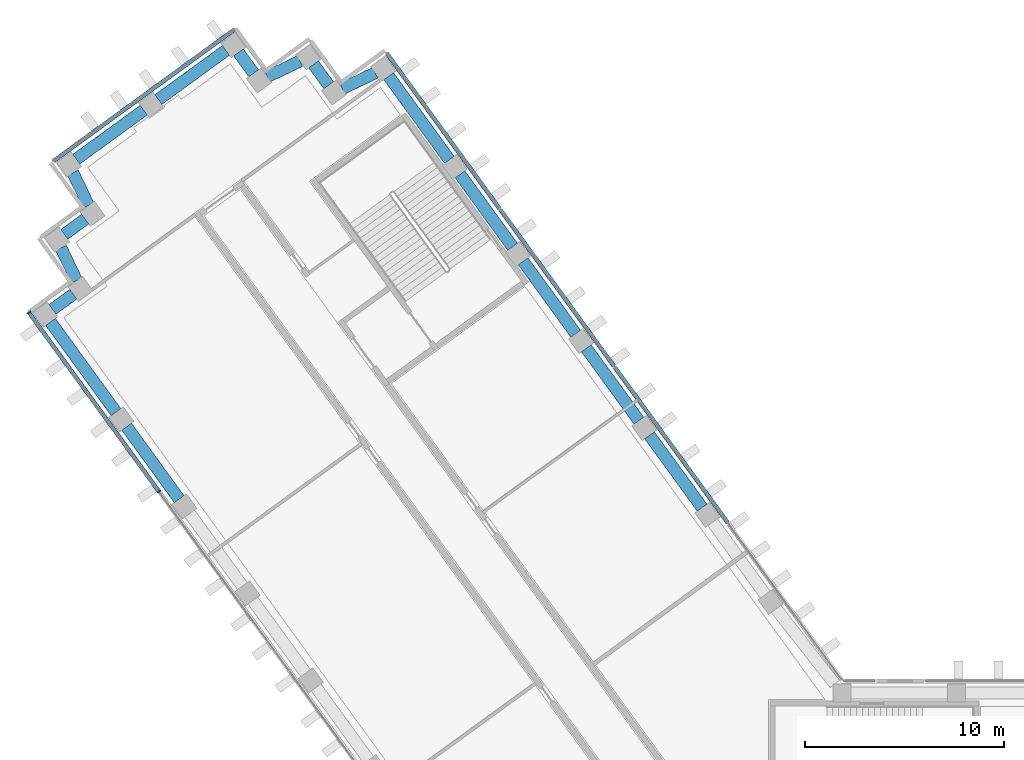
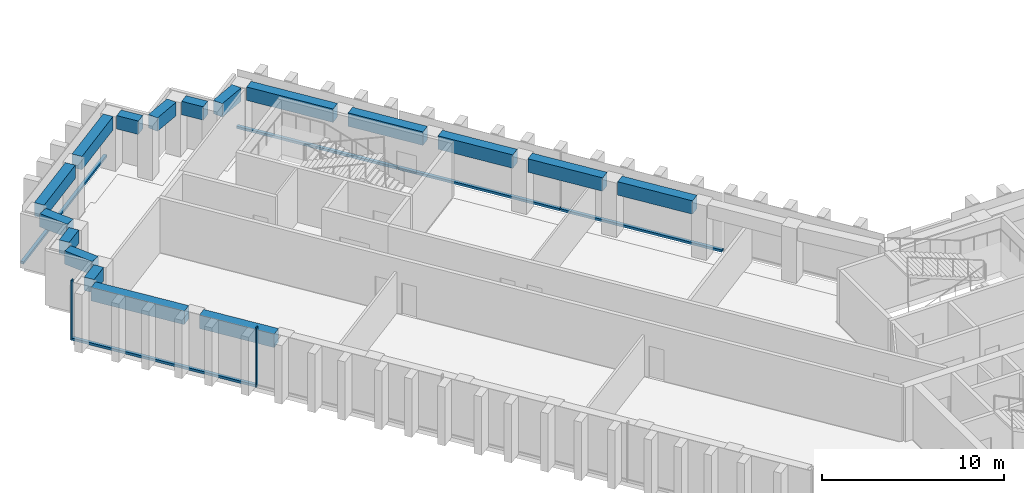
"""IFC4 building model written with IfcOpenShell, lengths in metres."""

from ifc_helpers import new_model, si_unit, direction, frame, origin, origin_2d, place, context, subcontext, project, spatial, rectangle, extrude, material, material_profile, profile_set, type_object, element, aggregate, save


model = new_model("IFC4")

# Units and contexts
model_context = context("Model", 3, precision=1e-05, world=origin(), true_north=direction((0.0, 1.0)))
body_context = subcontext(model_context, "Body", "Model", "MODEL_VIEW")
ifc_project = project(units=[si_unit("LENGTHUNIT", "METRE"), si_unit("AREAUNIT", "SQUARE_METRE"), si_unit("VOLUMEUNIT", "CUBIC_METRE"), si_unit("PLANEANGLEUNIT", "RADIAN"), si_unit("MASSUNIT", "GRAM", prefix="KILO")], contexts=[model_context])

# Site, building, storey
site_placement = place(None, origin())
site = spatial("IfcSite", under=ifc_project, at=site_placement, CompositionType="ELEMENT")
building_placement = place(site_placement, origin())
building = spatial("IfcBuilding", under=site, at=building_placement, Name="Quipu Civic Tower", CompositionType="ELEMENT")
storey_1_placement = place(building_placement, frame((0.0, 0.0, 31.0)))
storey_1 = spatial("IfcBuildingStorey", under=building, at=storey_1_placement, Name="L06", CompositionType="ELEMENT", Elevation=31.0)

# Curtain wall, members
ifc_material_1 = material(Name="Insulated glass unit", Category="glass")
curtain_wall_type = type_object("IfcCurtainWallType", Name="Office curtain wall CW1", PredefinedType="NOTDEFINED", material=ifc_material_1)
curtain_wall_1_placement = place(storey_1_placement, origin())
curtain_wall_1 = element("IfcCurtainWall", 1, at=curtain_wall_1_placement, inside=storey_1, type_object=curtain_wall_type, Name="Office curtain wall CW1 L06 run 4", PredefinedType="NOTDEFINED")
ifc_material_2 = material(Name="Anodised aluminium", Category="aluminium")
ifc_material_profile_1 = material_profile(ifc_material_2, rectangle(XDim=0.199951171875, YDim=0.080078125, at=origin_2d()), Name="RECT 200x80")
ifc_profile_set_1 = profile_set([ifc_material_profile_1], Name="Anodised aluminium")
member_type_1 = type_object("IfcMemberType", Name="Mullion CW1", PredefinedType="MULLION", material=ifc_profile_set_1)
member_1_placement = place(storey_1_placement, frame((-55.23046875, 29.606201171875, 0.080078125), z_axis=(0.0, 0.0, 1.0), x_axis=(0.809016770908, 0.587785559869, 0.0)))
member_1 = element("IfcMember", 2, at=member_1_placement, type_object=member_type_1, Name="CW1 mullion 1", PredefinedType="MULLION", context=body_context, shape_type="SweptSolid", body=[
    extrude(rectangle(XDim=0.199951171875, YDim=0.080078125, at=origin_2d()), origin(), (0.0, 0.0, 1.0), 4.0),
])
member_2_placement = place(storey_1_placement, frame((-48.70458984375, 20.6240234375, 0.080078125), z_axis=(0.0, 0.0, 1.0), x_axis=(0.809016770908, 0.587785559869, 0.0)))
member_2 = element("IfcMember", 3, at=member_2_placement, type_object=member_type_1, Name="CW1 mullion 2", PredefinedType="MULLION", context=body_context, shape_type="SweptSolid", body=[
    extrude(rectangle(XDim=0.199951171875, YDim=0.080078125, at=origin_2d()), origin(), (0.0, 0.0, 1.0), 4.0),
])

# Beams
ifc_material_3 = material(Name="Concrete C50/60", Category="concrete")
ifc_material_profile_2 = material_profile(ifc_material_3, rectangle(XDim=0.60009765625, YDim=0.89990234375, at=origin_2d()), Name="RC600x900")
ifc_profile_set_2 = profile_set([ifc_material_profile_2], Name="Concrete C50/60")
beam_type = type_object("IfcBeamType", Name="Spandrel beam RC 600x900 C50/60", PredefinedType="SPANDREL", material=ifc_profile_set_2)
for number, where, z_axis, x_axis, name in (
    (4, (-21.411865234375, 19.807861328125, 3.199951171875), (-0.587778073121, 0.809022210299, 0.0), (-0.809022210299, -0.587778073121, 0.0), "Spandrel beam L06 W-IN-02 to W-IN-03"),
    (5, (-24.585693359375, 24.1767578125, 3.199951171875), (-0.587778073121, 0.809022210299, 0.0), (-0.809022210299, -0.587778073121, 0.0), "Spandrel beam L06 W-IN-03 to W-IN-04"),
    (6, (-27.759765625, 28.545654296875, 3.199951171875), (-0.587742561851, 0.809048009076, 0.0), (-0.809048009076, -0.587742561851, 0.0), "Spandrel beam L06 W-IN-04 to W-IN-05"),
    (7, (-30.93359375, 32.914306640625, 3.199951171875), (-0.587716763865, 0.809066749701, 0.0), (-0.809066749701, -0.587716763865, 0.0), "Spandrel beam L06 W-IN-05 to W-IN-06"),
):
    element("IfcBeam", number, at=place(storey_1_placement, frame(where, z_axis=z_axis, x_axis=x_axis)), inside=storey_1, type_object=beam_type, Name=name, PredefinedType="SPANDREL", context=body_context, shape_type="SweptSolid", body=[
        extrude(rectangle(XDim=0.60009765625, YDim=0.89990234375, at=origin_2d()), origin(), (0.0, 0.0, 1.0), 4.5),
    ])
beam_1_placement = place(storey_1_placement, frame((-34.107421875, 37.283203125, 3.199951171875), z_axis=(-0.587732861365, 0.80905505602, 0.0), x_axis=(-0.80905505602, -0.587732861365, 0.0)))
element("IfcBeam", 8, at=beam_1_placement, inside=storey_1, type_object=beam_type, Name="Spandrel beam L06 W-IN-06 to T-Wi.0-W50", PredefinedType="SPANDREL", context=body_context, shape_type="SweptSolid", body=[
    extrude(rectangle(XDim=0.60009765625, YDim=0.89990234375, at=origin_2d()), origin(), (0.0, 0.0, 1.0), 5.194580078125),
])
beam_2_placement = place(storey_1_placement, frame((-37.837890625, 41.65283203125, 3.199951171875), z_axis=(-0.90245397739, -0.430786279601, 0.0), x_axis=(0.430786279601, -0.90245397739, 0.0)))
element("IfcBeam", 9, at=beam_2_placement, inside=storey_1, type_object=beam_type, Name="Spandrel beam L06 T-Wi.0-W50 to T-Wi.1-W50", PredefinedType="SPANDREL", context=body_context, shape_type="SweptSolid", body=[
    extrude(rectangle(XDim=0.60009765625, YDim=0.89990234375, at=origin_2d()), origin(), (0.0, 0.0, 1.0), 1.83349609375),
])
beam_3_placement = place(storey_1_placement, frame((-40.170166015625, 41.02978515625, 3.199951171875), z_axis=(-0.588461937499, 0.808524921146, 0.0), x_axis=(-0.808524921146, -0.588461937499, 0.0)))
element("IfcBeam", 10, at=beam_3_placement, inside=storey_1, type_object=beam_type, Name="Spandrel beam L06 T-Wi.1-W50 to T-Wi.2-W50", PredefinedType="SPANDREL", context=body_context, shape_type="SweptSolid", body=[
    extrude(rectangle(XDim=0.60009765625, YDim=0.89990234375, at=origin_2d()), origin(), (0.0, 0.0, 1.0), 1.30029296875),
])
beam_4_placement = place(storey_1_placement, frame((-41.613037109375, 42.248046875, 3.199951171875), z_axis=(-0.902613270121, -0.430452418511, 0.0), x_axis=(0.430452418511, -0.902613270121, 0.0)))
element("IfcBeam", 11, at=beam_4_placement, inside=storey_1, type_object=beam_type, Name="Spandrel beam L06 T-Wi.2-W50 to T-Wi.3-W50", PredefinedType="SPANDREL", context=body_context, shape_type="SweptSolid", body=[
    extrude(rectangle(XDim=0.60009765625, YDim=0.89990234375, at=origin_2d()), origin(), (0.0, 0.0, 1.0), 1.826416015625),
])
beam_5_placement = place(storey_1_placement, frame((-43.939453125, 41.628662109375, 3.199951171875), z_axis=(-0.588383572423, 0.808581951136, 0.0), x_axis=(-0.808581951136, -0.588383572423, 0.0)))
element("IfcBeam", 12, at=beam_5_placement, inside=storey_1, type_object=beam_type, Name="Spandrel beam L06 T-Wi.3-W50 to T-Wi.4-W50", PredefinedType="SPANDREL", context=body_context, shape_type="SweptSolid", body=[
    extrude(rectangle(XDim=0.60009765625, YDim=0.89990234375, at=origin_2d()), origin(), (0.0, 0.0, 1.0), 1.3017578125),
])
beam_6_placement = place(storey_1_placement, frame((-45.333984375, 42.780517578125, 3.199951171875), z_axis=(-0.808969789945, -0.58785021813, 0.0), x_axis=(0.58785021813, -0.808969789945, 0.0)))
element("IfcBeam", 13, at=beam_6_placement, inside=storey_1, type_object=beam_type, Name="Spandrel beam L06 T-Wi.4-W50 to TIP-W-01-W50", PredefinedType="SPANDREL", context=body_context, shape_type="SweptSolid", body=[
    extrude(rectangle(XDim=0.60009765625, YDim=0.89990234375, at=origin_2d()), origin(), (0.0, 0.0, 1.0), 4.199951171875),
])
beam_7_placement = place(storey_1_placement, frame((-49.459716796875, 39.782470703125, 3.199951171875), z_axis=(-0.808959834407, -0.587863918196, 0.0), x_axis=(0.587863918196, -0.808959834407, 0.0)))
element("IfcBeam", 14, at=beam_7_placement, inside=storey_1, type_object=beam_type, Name="Spandrel beam L06 TIP-W-01-W50 to T-Wo.0-W50", PredefinedType="SPANDREL", context=body_context, shape_type="SweptSolid", body=[
    extrude(rectangle(XDim=0.60009765625, YDim=0.89990234375, at=origin_2d()), origin(), (0.0, 0.0, 1.0), 4.1982421875),
])
beam_8_placement = place(storey_1_placement, frame((-53.023193359375, 36.63671875, 3.199951171875), z_axis=(0.430166558323, -0.902749540072, 0.0), x_axis=(0.902749540072, 0.430166558323, 0.0)))
element("IfcBeam", 15, at=beam_8_placement, inside=storey_1, type_object=beam_type, Name="Spandrel beam L06 T-Wo.0-W50 to T-Wo.1-W50", PredefinedType="SPANDREL", context=body_context, shape_type="SweptSolid", body=[
    extrude(rectangle(XDim=0.60009765625, YDim=0.89990234375, at=origin_2d()), origin(), (0.0, 0.0, 1.0), 1.830322265625),
])
beam_9_placement = place(storey_1_placement, frame((-52.40283203125, 34.306396484375, 3.199951171875), z_axis=(-0.808509099783, -0.588483674853, 0.0), x_axis=(0.588483674853, -0.808509099783, 0.0)))
element("IfcBeam", 16, at=beam_9_placement, inside=storey_1, type_object=beam_type, Name="Spandrel beam L06 T-Wo.1-W50 to T-Wo.2-W50", PredefinedType="SPANDREL", context=body_context, shape_type="SweptSolid", body=[
    extrude(rectangle(XDim=0.60009765625, YDim=0.89990234375, at=origin_2d()), origin(), (0.0, 0.0, 1.0), 1.302734375),
])
beam_10_placement = place(storey_1_placement, frame((-53.62255859375, 32.8623046875, 3.199951171875), z_axis=(0.431446050156, -0.902138739776, 0.0), x_axis=(0.902138739776, 0.431446050156, 0.0)))
element("IfcBeam", 17, at=beam_10_placement, inside=storey_1, type_object=beam_type, Name="Spandrel beam L06 T-Wo.2-W50 to T-Wo.3-W50", PredefinedType="SPANDREL", context=body_context, shape_type="SweptSolid", body=[
    extrude(rectangle(XDim=0.60009765625, YDim=0.89990234375, at=origin_2d()), origin(), (0.0, 0.0, 1.0), 1.828857421875),
])
beam_11_placement = place(storey_1_placement, frame((-53.0, 30.53466796875, 3.199951171875), z_axis=(-0.808549242423, -0.588428519514, 0.0), x_axis=(0.588428519514, -0.808549242423, 0.0)))
element("IfcBeam", 18, at=beam_11_placement, inside=storey_1, type_object=beam_type, Name="Spandrel beam L06 T-Wo.3-W50 to T-Wo.4-W50", PredefinedType="SPANDREL", context=body_context, shape_type="SweptSolid", body=[
    extrude(rectangle(XDim=0.60009765625, YDim=0.89990234375, at=origin_2d()), origin(), (0.0, 0.0, 1.0), 1.2998046875),
])
beam_12_placement = place(storey_1_placement, frame((-54.150390625, 29.140869140625, 3.199951171875), z_axis=(0.587772657145, -0.809026145135, 0.0), x_axis=(0.809026145135, 0.587772657145, 0.0)))
element("IfcBeam", 19, at=beam_12_placement, inside=storey_1, type_object=beam_type, Name="Spandrel beam L06 T-Wo.4-W50 to W-OUT-07", PredefinedType="SPANDREL", context=body_context, shape_type="SweptSolid", body=[
    extrude(rectangle(XDim=0.60009765625, YDim=0.89990234375, at=origin_2d()), origin(), (0.0, 0.0, 1.0), 5.603271484375),
])
beam_13_placement = place(storey_1_placement, frame((-50.327880859375, 23.87939453125, 3.199951171875), z_axis=(0.587778073121, -0.809022210299, 0.0), x_axis=(0.809022210299, 0.587778073121, 0.0)))
element("IfcBeam", 20, at=beam_13_placement, inside=storey_1, type_object=beam_type, Name="Spandrel beam L06 W-OUT-07 to W-OUT-06", PredefinedType="SPANDREL", context=body_context, shape_type="SweptSolid", body=[
    extrude(rectangle(XDim=0.60009765625, YDim=0.89990234375, at=origin_2d()), origin(), (0.0, 0.0, 1.0), 4.5),
])

# Member
ifc_material_4 = material(Name="Anodised aluminium", Category="aluminium")
ifc_material_profile_3 = material_profile(ifc_material_4, rectangle(XDim=0.199951171875, YDim=0.159912109375, at=origin_2d()), Name="RECT 200x160")
ifc_profile_set_3 = profile_set([ifc_material_profile_3], Name="Anodised aluminium")
member_type_2 = type_object("IfcMemberType", Name="Transom CW1", PredefinedType="USERDEFINED", material=ifc_profile_set_3)
member_3_placement = place(storey_1_placement, frame((-55.20703125, 29.573974609375, 0.159912109375), z_axis=(0.587779179422, -0.809021406539, 0.0), x_axis=(0.809021406539, 0.587779179422, 0.0)))
member_3 = element("IfcMember", 21, at=member_3_placement, type_object=member_type_2, Name="CW1 transom 1.1", ObjectType="TRANSOM", PredefinedType="USERDEFINED", context=body_context, shape_type="SweptSolid", body=[
    extrude(rectangle(XDim=0.199951171875, YDim=0.159912109375, at=origin_2d()), origin(), (0.0, 0.0, 1.0), 11.02294921875),
])

aggregate(curtain_wall_1, [member_1, member_2, member_3])

# Storey
storey_2_placement = place(building_placement, frame((0.0, 0.0, 35.0)))
storey_2 = spatial("IfcBuildingStorey", under=building, at=storey_2_placement, Name="L07", CompositionType="ELEMENT", Elevation=35.0)

# Curtain wall, members
curtain_wall_2_placement = place(storey_2_placement, origin())
curtain_wall_2 = element("IfcCurtainWall", 22, at=curtain_wall_2_placement, inside=storey_2, type_object=curtain_wall_type, Name="Office curtain wall CW1 L06 run 32", PredefinedType="NOTDEFINED")
member_4_placement = place(storey_1_placement, frame((-20.105224609375, 19.029296875, 0.159912109375), z_axis=(-0.587793764301, 0.80901080997, 0.0), x_axis=(-0.80901080997, -0.587793764301, 0.0)))
member_4 = element("IfcMember", 23, at=member_4_placement, inside=storey_1, type_object=member_type_2, Name="CW1 transom 2.1", ObjectType="TRANSOM", PredefinedType="USERDEFINED", context=body_context, shape_type="SweptSolid", body=[
    extrude(rectangle(XDim=0.199951171875, YDim=0.159912109375, at=origin_2d()), origin(), (0.0, 0.0, 1.0), 9.680908203125),
])
member_5_placement = place(storey_1_placement, frame((-25.842529296875, 26.926025390625, 0.159912109375), z_axis=(-0.58778177227, 0.809019522748, 0.0), x_axis=(-0.809019522748, -0.58778177227, 0.0)))
member_5 = element("IfcMember", 24, at=member_5_placement, inside=storey_1, type_object=member_type_2, Name="CW1 transom 3.1", ObjectType="TRANSOM", PredefinedType="USERDEFINED", context=body_context, shape_type="SweptSolid", body=[
    extrude(rectangle(XDim=0.199951171875, YDim=0.159912109375, at=origin_2d()), origin(), (0.0, 0.0, 1.0), 9.68115234375),
])
member_6_placement = place(storey_1_placement, frame((-31.580078125, 34.822998046875, 0.159912109375), z_axis=(-0.587775627857, 0.809023986849, 0.0), x_axis=(-0.809023986849, -0.587775627857, 0.0)))
member_6 = element("IfcMember", 25, at=member_6_placement, inside=storey_1, type_object=member_type_2, Name="CW1 transom 4.1", ObjectType="TRANSOM", PredefinedType="USERDEFINED", context=body_context, shape_type="SweptSolid", body=[
    extrude(rectangle(XDim=0.199951171875, YDim=0.159912109375, at=origin_2d()), origin(), (0.0, 0.0, 1.0), 9.64111328125),
])
aggregate(curtain_wall_2, [member_4, member_5, member_6])

# Curtain wall, member
curtain_wall_3_placement = place(storey_2_placement, origin())
curtain_wall_3 = element("IfcCurtainWall", 26, at=curtain_wall_3_placement, inside=storey_2, type_object=curtain_wall_type, Name="Office curtain wall CW1 L06 run 37", PredefinedType="NOTDEFINED")
member_7_placement = place(storey_1_placement, frame((-44.9013671875, 43.8349609375, 0.159912109375), z_axis=(-0.809032792449, -0.587763507495, 0.0), x_axis=(0.587763507495, -0.809032792449, 0.0)))
member_7 = element("IfcMember", 27, at=member_7_placement, inside=storey_1, type_object=member_type_2, Name="CW1 transom 1.1", ObjectType="TRANSOM", PredefinedType="USERDEFINED", context=body_context, shape_type="SweptSolid", body=[
    extrude(rectangle(XDim=0.199951171875, YDim=0.159912109375, at=origin_2d()), origin(), (0.0, 0.0, 1.0), 11.239990234375),
])
aggregate(curtain_wall_3, [member_7])

save(model, "model.ifc")
